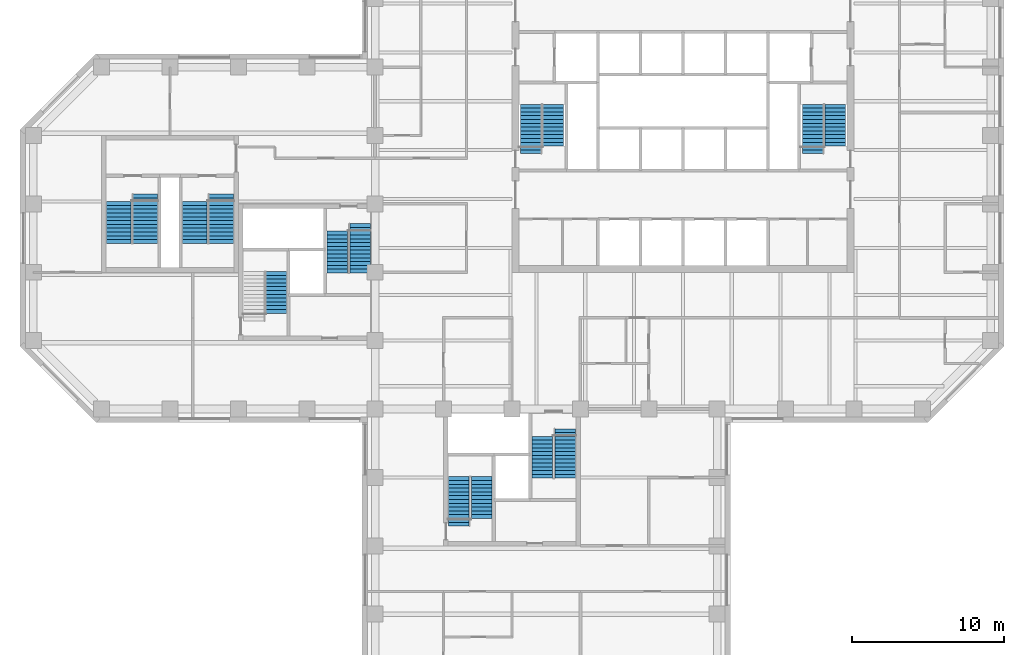
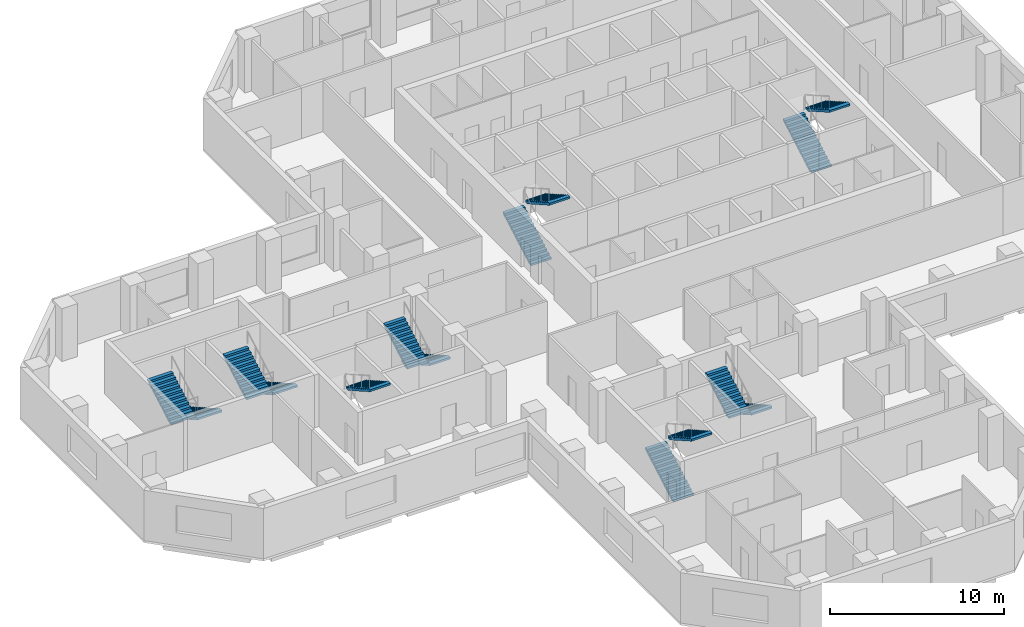
# One storey, part 10 of 11: 15 stair flights, 8 elements without a shape of their own.
"""IFC4 building model written with IfcOpenShell, lengths in metres."""

from ifc_helpers import new_model, si_unit, direction, frame, origin, place, context, subcontext, project, spatial, polyline, outline, extrude, material, type_object, element, aggregate, save


model = new_model("IFC4")

# Units and contexts
model_context = context("Model", 3, precision=1e-05, world=origin(), true_north=direction((0.0, 1.0)))
body_context = subcontext(model_context, "Body", "Model", "MODEL_VIEW")
ifc_project = project(units=[si_unit("LENGTHUNIT", "METRE"), si_unit("AREAUNIT", "SQUARE_METRE"), si_unit("VOLUMEUNIT", "CUBIC_METRE"), si_unit("PLANEANGLEUNIT", "RADIAN"), si_unit("MASSUNIT", "GRAM", prefix="KILO")], contexts=[model_context])

# Site, building, storey
site_placement = place(None, origin())
site = spatial("IfcSite", under=ifc_project, at=site_placement, CompositionType="ELEMENT")
building_placement = place(site_placement, origin())
building = spatial("IfcBuilding", under=site, at=building_placement, Name="Quoin Convention Tower", CompositionType="ELEMENT")
storey_placement = place(building_placement, frame((0.0, 0.0, 115.89990234375)))
storey = spatial("IfcBuildingStorey", under=building, at=storey_placement, Name="L30", CompositionType="ELEMENT", Elevation=115.89990234375)

# Stair, stair flights
ifc_material = material(Name="Concrete C40", Category="concrete")
stair_type_1 = type_object("IfcStairType", Name="Exit stair two-flight 1350", PredefinedType="HALF_TURN_STAIR", material=ifc_material)
stair_1_placement = place(storey_placement, origin())
stair_1 = element("IfcStair", 1, at=stair_1_placement, inside=storey, type_object=stair_type_1, Name="SD1 L30", PredefinedType="HALF_TURN_STAIR")
stair_flight_type_1 = type_object("IfcStairFlightType", Name="Stair flight 1350", PredefinedType="STRAIGHT", material=ifc_material)
stair_flight_1_placement = place(storey_placement, frame((46.22509765625, 57.300048828125, 0.0), z_axis=(0.0, 0.0, 1.0), x_axis=(0.0, 1.0, 0.0)))
stair_flight_1 = element("IfcStairFlight", 2, at=stair_flight_1_placement, type_object=stair_flight_type_1, Name="ST1 flight 1", NumberOfRisers=14, NumberOfTreads=13, PredefinedType="STRAIGHT", RiserHeight=0.142307692, TreadLength=0.25, context=body_context, shape_type="SweptSolid", body=[
    extrude(outline(polyline([(0.0, 0.0), (0.0, 0.142333984375), (0.25, 0.142333984375), (0.25, 0.28466796875), (0.5, 0.28466796875), (0.5, 0.427001953125), (0.75, 0.427001953125), (0.75, 0.5693359375), (1.0, 0.5693359375), (1.0, 0.71142578125), (1.25, 0.71142578125), (1.25, 0.853759765625), (1.5, 0.853759765625), (1.5, 0.99609375), (1.75, 0.99609375), (1.75, 1.138427734375), (2.0, 1.138427734375), (2.0, 1.28076171875), (2.25, 1.28076171875), (2.25, 1.423095703125), (2.5, 1.423095703125), (2.5, 1.5654296875), (2.75, 1.5654296875), (2.75, 1.707763671875), (3.0, 1.707763671875), (3.0, 1.85009765625), (3.25, 1.85009765625), (3.25, 1.9921875), (3.25, 1.711669921875), (0.242919921875, 0.0), (0.0, 0.0)])), frame((0.0, 0.675048828125, 0.0), z_axis=(0.0, -1.0, 0.0), x_axis=(1.0, 0.0, 0.0)), (0.0, 0.0, 1.0), 1.35009765625),
])
stair_flight_2_placement = place(storey_placement, frame((47.72509765625, 60.550048828125, 1.992431640625), z_axis=(0.0, 0.0, 1.0), x_axis=(0.0, -1.0, 0.0)))
stair_flight_2 = element("IfcStairFlight", 3, at=stair_flight_2_placement, type_object=stair_flight_type_1, Name="ST1 flight 2", NumberOfRisers=12, NumberOfTreads=11, PredefinedType="STRAIGHT", RiserHeight=0.142307692, TreadLength=0.25, context=body_context, shape_type="SweptSolid", body=[
    extrude(outline(polyline([(0.0, 0.0), (0.0, 0.142333984375), (0.25, 0.142333984375), (0.25, 0.28466796875), (0.5, 0.28466796875), (0.5, 0.427001953125), (0.75, 0.427001953125), (0.75, 0.5693359375), (1.0, 0.5693359375), (1.0, 0.71142578125), (1.25, 0.71142578125), (1.25, 0.853759765625), (1.5, 0.853759765625), (1.5, 0.99609375), (1.75, 0.99609375), (1.75, 1.138427734375), (2.0, 1.138427734375), (2.0, 1.28076171875), (2.25, 1.28076171875), (2.25, 1.423095703125), (2.5, 1.423095703125), (2.5, 1.5654296875), (2.75, 1.5654296875), (2.75, 1.707763671875), (2.75, 1.42724609375), (0.242919921875, 0.0), (0.0, 0.0)])), frame((0.0, 0.675048828125, 0.0), z_axis=(0.0, -1.0, 0.0), x_axis=(1.0, 0.0, 0.0)), (0.0, 0.0, 1.0), 1.35009765625),
])
aggregate(stair_1, [stair_flight_1, stair_flight_2])

stair_2_placement = place(storey_placement, origin())
stair_2 = element("IfcStair", 4, at=stair_2_placement, inside=storey, type_object=stair_type_1, Name="SD2 L30", PredefinedType="HALF_TURN_STAIR")
stair_flight_3_placement = place(storey_placement, frame((64.77490234375, 57.300048828125, 0.0), z_axis=(0.0, 0.0, 1.0), x_axis=(0.0, 1.0, 0.0)))
stair_flight_3 = element("IfcStairFlight", 5, at=stair_flight_3_placement, type_object=stair_flight_type_1, Name="ST2 flight 1", NumberOfRisers=14, NumberOfTreads=13, PredefinedType="STRAIGHT", RiserHeight=0.142307692, TreadLength=0.25, context=body_context, shape_type="SweptSolid", body=[
    extrude(outline(polyline([(0.0, 0.0), (0.0, 0.142333984375), (0.25, 0.142333984375), (0.25, 0.28466796875), (0.5, 0.28466796875), (0.5, 0.427001953125), (0.75, 0.427001953125), (0.75, 0.5693359375), (1.0, 0.5693359375), (1.0, 0.71142578125), (1.25, 0.71142578125), (1.25, 0.853759765625), (1.5, 0.853759765625), (1.5, 0.99609375), (1.75, 0.99609375), (1.75, 1.138427734375), (2.0, 1.138427734375), (2.0, 1.28076171875), (2.25, 1.28076171875), (2.25, 1.423095703125), (2.5, 1.423095703125), (2.5, 1.5654296875), (2.75, 1.5654296875), (2.75, 1.707763671875), (3.0, 1.707763671875), (3.0, 1.85009765625), (3.25, 1.85009765625), (3.25, 1.9921875), (3.25, 1.711669921875), (0.242919921875, 0.0), (0.0, 0.0)])), frame((0.0, 0.675048828125, 0.0), z_axis=(0.0, -1.0, 0.0), x_axis=(1.0, 0.0, 0.0)), (0.0, 0.0, 1.0), 1.35009765625),
])
stair_flight_4_placement = place(storey_placement, frame((66.27490234375, 60.550048828125, 1.992431640625), z_axis=(0.0, 0.0, 1.0), x_axis=(0.0, -1.0, 0.0)))
stair_flight_4 = element("IfcStairFlight", 6, at=stair_flight_4_placement, type_object=stair_flight_type_1, Name="ST2 flight 2", NumberOfRisers=12, NumberOfTreads=11, PredefinedType="STRAIGHT", RiserHeight=0.142307692, TreadLength=0.25, context=body_context, shape_type="SweptSolid", body=[
    extrude(outline(polyline([(0.0, 0.0), (0.0, 0.142333984375), (0.25, 0.142333984375), (0.25, 0.28466796875), (0.5, 0.28466796875), (0.5, 0.427001953125), (0.75, 0.427001953125), (0.75, 0.5693359375), (1.0, 0.5693359375), (1.0, 0.71142578125), (1.25, 0.71142578125), (1.25, 0.853759765625), (1.5, 0.853759765625), (1.5, 0.99609375), (1.75, 0.99609375), (1.75, 1.138427734375), (2.0, 1.138427734375), (2.0, 1.28076171875), (2.25, 1.28076171875), (2.25, 1.423095703125), (2.5, 1.423095703125), (2.5, 1.5654296875), (2.75, 1.5654296875), (2.75, 1.707763671875), (2.75, 1.42724609375), (0.242919921875, 0.0), (0.0, 0.0)])), frame((0.0, 0.675048828125, 0.0), z_axis=(0.0, -1.0, 0.0), x_axis=(1.0, 0.0, 0.0)), (0.0, 0.0, 1.0), 1.35009765625),
])
aggregate(stair_2, [stair_flight_3, stair_flight_4])

# Stair, stair flight
stair_3_placement = place(storey_placement, origin())
stair_3 = element("IfcStair", 7, at=stair_3_placement, inside=storey, type_object=stair_type_1, Name="SD3 L30", PredefinedType="HALF_TURN_STAIR")
stair_flight_5_placement = place(storey_placement, frame((29.5, 49.550048828125, 1.992431640625), z_axis=(0.0, 0.0, 1.0), x_axis=(0.0, -1.0, 0.0)))
stair_flight_5 = element("IfcStairFlight", 8, at=stair_flight_5_placement, type_object=stair_flight_type_1, Name="ST3 flight 2", NumberOfRisers=12, NumberOfTreads=11, PredefinedType="STRAIGHT", RiserHeight=0.142307692, TreadLength=0.25, context=body_context, shape_type="SweptSolid", body=[
    extrude(outline(polyline([(0.0, 0.0), (0.0, 0.142333984375), (0.25, 0.142333984375), (0.25, 0.28466796875), (0.5, 0.28466796875), (0.5, 0.427001953125), (0.75, 0.427001953125), (0.75, 0.5693359375), (1.0, 0.5693359375), (1.0, 0.71142578125), (1.25, 0.71142578125), (1.25, 0.853759765625), (1.5, 0.853759765625), (1.5, 0.99609375), (1.75, 0.99609375), (1.75, 1.138427734375), (2.0, 1.138427734375), (2.0, 1.28076171875), (2.25, 1.28076171875), (2.25, 1.423095703125), (2.5, 1.423095703125), (2.5, 1.5654296875), (2.75, 1.5654296875), (2.75, 1.707763671875), (2.75, 1.42724609375), (0.242919921875, 0.0), (0.0, 0.0)])), frame((0.0, 0.675048828125, 0.0), z_axis=(0.0, -1.0, 0.0), x_axis=(1.0, 0.0, 0.0)), (0.0, 0.0, 1.0), 1.35009765625),
])
aggregate(stair_3, [stair_flight_5])

# Stair, stair flights
stair_4_placement = place(storey_placement, origin())
stair_4 = element("IfcStair", 9, at=stair_4_placement, inside=storey, type_object=stair_type_1, Name="SD4 L30", PredefinedType="HALF_TURN_STAIR")
stair_flight_6_placement = place(storey_placement, frame((35.0, 52.699951171875, 0.0), z_axis=(0.0, 0.0, 1.0), x_axis=(0.0, -1.0, 0.0)))
stair_flight_6 = element("IfcStairFlight", 10, at=stair_flight_6_placement, type_object=stair_flight_type_1, Name="ST4 flight 1", NumberOfRisers=14, NumberOfTreads=13, PredefinedType="STRAIGHT", RiserHeight=0.142307692, TreadLength=0.25, context=body_context, shape_type="SweptSolid", body=[
    extrude(outline(polyline([(0.0, 0.0), (0.0, 0.142333984375), (0.25, 0.142333984375), (0.25, 0.28466796875), (0.5, 0.28466796875), (0.5, 0.427001953125), (0.75, 0.427001953125), (0.75, 0.5693359375), (1.0, 0.5693359375), (1.0, 0.71142578125), (1.25, 0.71142578125), (1.25, 0.853759765625), (1.5, 0.853759765625), (1.5, 0.99609375), (1.75, 0.99609375), (1.75, 1.138427734375), (2.0, 1.138427734375), (2.0, 1.28076171875), (2.25, 1.28076171875), (2.25, 1.423095703125), (2.5, 1.423095703125), (2.5, 1.5654296875), (2.75, 1.5654296875), (2.75, 1.707763671875), (3.0, 1.707763671875), (3.0, 1.85009765625), (3.25, 1.85009765625), (3.25, 1.9921875), (3.25, 1.711669921875), (0.242919921875, 0.0), (0.0, 0.0)])), frame((0.0, 0.675048828125, 0.0), z_axis=(0.0, -1.0, 0.0), x_axis=(1.0, 0.0, 0.0)), (0.0, 0.0, 1.0), 1.35009765625),
])
stair_flight_7_placement = place(storey_placement, frame((33.5, 49.449951171875, 1.992431640625), z_axis=(0.0, 0.0, 1.0), x_axis=(0.0, 1.0, 0.0)))
stair_flight_7 = element("IfcStairFlight", 11, at=stair_flight_7_placement, type_object=stair_flight_type_1, Name="ST4 flight 2", NumberOfRisers=12, NumberOfTreads=11, PredefinedType="STRAIGHT", RiserHeight=0.142307692, TreadLength=0.25, context=body_context, shape_type="SweptSolid", body=[
    extrude(outline(polyline([(0.0, 0.0), (0.0, 0.142333984375), (0.25, 0.142333984375), (0.25, 0.28466796875), (0.5, 0.28466796875), (0.5, 0.427001953125), (0.75, 0.427001953125), (0.75, 0.5693359375), (1.0, 0.5693359375), (1.0, 0.71142578125), (1.25, 0.71142578125), (1.25, 0.853759765625), (1.5, 0.853759765625), (1.5, 0.99609375), (1.75, 0.99609375), (1.75, 1.138427734375), (2.0, 1.138427734375), (2.0, 1.28076171875), (2.25, 1.28076171875), (2.25, 1.423095703125), (2.5, 1.423095703125), (2.5, 1.5654296875), (2.75, 1.5654296875), (2.75, 1.707763671875), (2.75, 1.42724609375), (0.242919921875, 0.0), (0.0, 0.0)])), frame((0.0, 0.675048828125, 0.0), z_axis=(0.0, -1.0, 0.0), x_axis=(1.0, 0.0, 0.0)), (0.0, 0.0, 1.0), 1.35009765625),
])
aggregate(stair_4, [stair_flight_6, stair_flight_7])

stair_5_placement = place(storey_placement, origin())
stair_5 = element("IfcStair", 12, at=stair_5_placement, inside=storey, type_object=stair_type_1, Name="SD5 L30", PredefinedType="HALF_TURN_STAIR")
stair_flight_8_placement = place(storey_placement, frame((41.5, 32.800048828125, 0.0), z_axis=(0.0, 0.0, 1.0), x_axis=(0.0, 1.0, 0.0)))
stair_flight_8 = element("IfcStairFlight", 13, at=stair_flight_8_placement, type_object=stair_flight_type_1, Name="ST5 flight 1", NumberOfRisers=14, NumberOfTreads=13, PredefinedType="STRAIGHT", RiserHeight=0.142307692, TreadLength=0.25, context=body_context, shape_type="SweptSolid", body=[
    extrude(outline(polyline([(0.0, 0.0), (0.0, 0.142333984375), (0.25, 0.142333984375), (0.25, 0.28466796875), (0.5, 0.28466796875), (0.5, 0.427001953125), (0.75, 0.427001953125), (0.75, 0.5693359375), (1.0, 0.5693359375), (1.0, 0.71142578125), (1.25, 0.71142578125), (1.25, 0.853759765625), (1.5, 0.853759765625), (1.5, 0.99609375), (1.75, 0.99609375), (1.75, 1.138427734375), (2.0, 1.138427734375), (2.0, 1.28076171875), (2.25, 1.28076171875), (2.25, 1.423095703125), (2.5, 1.423095703125), (2.5, 1.5654296875), (2.75, 1.5654296875), (2.75, 1.707763671875), (3.0, 1.707763671875), (3.0, 1.85009765625), (3.25, 1.85009765625), (3.25, 1.9921875), (3.25, 1.711669921875), (0.242919921875, 0.0), (0.0, 0.0)])), frame((0.0, 0.675048828125, 0.0), z_axis=(0.0, -1.0, 0.0), x_axis=(1.0, 0.0, 0.0)), (0.0, 0.0, 1.0), 1.35009765625),
])
stair_flight_9_placement = place(storey_placement, frame((43.0, 36.050048828125, 1.992431640625), z_axis=(0.0, 0.0, 1.0), x_axis=(0.0, -1.0, 0.0)))
stair_flight_9 = element("IfcStairFlight", 14, at=stair_flight_9_placement, type_object=stair_flight_type_1, Name="ST5 flight 2", NumberOfRisers=12, NumberOfTreads=11, PredefinedType="STRAIGHT", RiserHeight=0.142307692, TreadLength=0.25, context=body_context, shape_type="SweptSolid", body=[
    extrude(outline(polyline([(0.0, 0.0), (0.0, 0.142333984375), (0.25, 0.142333984375), (0.25, 0.28466796875), (0.5, 0.28466796875), (0.5, 0.427001953125), (0.75, 0.427001953125), (0.75, 0.5693359375), (1.0, 0.5693359375), (1.0, 0.71142578125), (1.25, 0.71142578125), (1.25, 0.853759765625), (1.5, 0.853759765625), (1.5, 0.99609375), (1.75, 0.99609375), (1.75, 1.138427734375), (2.0, 1.138427734375), (2.0, 1.28076171875), (2.25, 1.28076171875), (2.25, 1.423095703125), (2.5, 1.423095703125), (2.5, 1.5654296875), (2.75, 1.5654296875), (2.75, 1.707763671875), (2.75, 1.42724609375), (0.242919921875, 0.0), (0.0, 0.0)])), frame((0.0, 0.675048828125, 0.0), z_axis=(0.0, -1.0, 0.0), x_axis=(1.0, 0.0, 0.0)), (0.0, 0.0, 1.0), 1.35009765625),
])
aggregate(stair_5, [stair_flight_8, stair_flight_9])

stair_6_placement = place(storey_placement, origin())
stair_6 = element("IfcStair", 15, at=stair_6_placement, inside=storey, type_object=stair_type_1, Name="SD6 L30", PredefinedType="HALF_TURN_STAIR")
stair_flight_10_placement = place(storey_placement, frame((48.5, 39.199951171875, 0.0), z_axis=(0.0, 0.0, 1.0), x_axis=(0.0, -1.0, 0.0)))
stair_flight_10 = element("IfcStairFlight", 16, at=stair_flight_10_placement, type_object=stair_flight_type_1, Name="ST6 flight 1", NumberOfRisers=14, NumberOfTreads=13, PredefinedType="STRAIGHT", RiserHeight=0.142307692, TreadLength=0.25, context=body_context, shape_type="SweptSolid", body=[
    extrude(outline(polyline([(0.0, 0.0), (0.0, 0.142333984375), (0.25, 0.142333984375), (0.25, 0.28466796875), (0.5, 0.28466796875), (0.5, 0.427001953125), (0.75, 0.427001953125), (0.75, 0.5693359375), (1.0, 0.5693359375), (1.0, 0.71142578125), (1.25, 0.71142578125), (1.25, 0.853759765625), (1.5, 0.853759765625), (1.5, 0.99609375), (1.75, 0.99609375), (1.75, 1.138427734375), (2.0, 1.138427734375), (2.0, 1.28076171875), (2.25, 1.28076171875), (2.25, 1.423095703125), (2.5, 1.423095703125), (2.5, 1.5654296875), (2.75, 1.5654296875), (2.75, 1.707763671875), (3.0, 1.707763671875), (3.0, 1.85009765625), (3.25, 1.85009765625), (3.25, 1.9921875), (3.25, 1.711669921875), (0.242919921875, 0.0), (0.0, 0.0)])), frame((0.0, 0.675048828125, 0.0), z_axis=(0.0, -1.0, 0.0), x_axis=(1.0, 0.0, 0.0)), (0.0, 0.0, 1.0), 1.35009765625),
])
stair_flight_11_placement = place(storey_placement, frame((47.0, 35.949951171875, 1.992431640625), z_axis=(0.0, 0.0, 1.0), x_axis=(0.0, 1.0, 0.0)))
stair_flight_11 = element("IfcStairFlight", 17, at=stair_flight_11_placement, type_object=stair_flight_type_1, Name="ST6 flight 2", NumberOfRisers=12, NumberOfTreads=11, PredefinedType="STRAIGHT", RiserHeight=0.142307692, TreadLength=0.25, context=body_context, shape_type="SweptSolid", body=[
    extrude(outline(polyline([(0.0, 0.0), (0.0, 0.142333984375), (0.25, 0.142333984375), (0.25, 0.28466796875), (0.5, 0.28466796875), (0.5, 0.427001953125), (0.75, 0.427001953125), (0.75, 0.5693359375), (1.0, 0.5693359375), (1.0, 0.71142578125), (1.25, 0.71142578125), (1.25, 0.853759765625), (1.5, 0.853759765625), (1.5, 0.99609375), (1.75, 0.99609375), (1.75, 1.138427734375), (2.0, 1.138427734375), (2.0, 1.28076171875), (2.25, 1.28076171875), (2.25, 1.423095703125), (2.5, 1.423095703125), (2.5, 1.5654296875), (2.75, 1.5654296875), (2.75, 1.707763671875), (2.75, 1.42724609375), (0.242919921875, 0.0), (0.0, 0.0)])), frame((0.0, 0.675048828125, 0.0), z_axis=(0.0, -1.0, 0.0), x_axis=(1.0, 0.0, 0.0)), (0.0, 0.0, 1.0), 1.35009765625),
])
aggregate(stair_6, [stair_flight_10, stair_flight_11])

stair_type_2 = type_object("IfcStairType", Name="Exit stair two-flight 1600", PredefinedType="HALF_TURN_STAIR", material=ifc_material)
stair_7_placement = place(storey_placement, origin())
stair_7 = element("IfcStair", 18, at=stair_7_placement, inside=storey, type_object=stair_type_2, Name="SD11 L30", PredefinedType="HALF_TURN_STAIR")
stair_flight_type_2 = type_object("IfcStairFlightType", Name="Stair flight 1600", PredefinedType="STRAIGHT", material=ifc_material)
stair_flight_12_placement = place(storey_placement, frame((20.875, 54.64990234375, 0.0), z_axis=(0.0, 0.0, 1.0), x_axis=(0.0, -1.0, 0.0)))
stair_flight_12 = element("IfcStairFlight", 19, at=stair_flight_12_placement, type_object=stair_flight_type_2, Name="ST11 flight 1", NumberOfRisers=14, NumberOfTreads=13, PredefinedType="STRAIGHT", RiserHeight=0.142307692, TreadLength=0.25, context=body_context, shape_type="SweptSolid", body=[
    extrude(outline(polyline([(0.0, 0.0), (0.0, 0.142333984375), (0.25, 0.142333984375), (0.25, 0.28466796875), (0.5, 0.28466796875), (0.5, 0.427001953125), (0.75, 0.427001953125), (0.75, 0.5693359375), (1.0, 0.5693359375), (1.0, 0.71142578125), (1.25, 0.71142578125), (1.25, 0.853759765625), (1.5, 0.853759765625), (1.5, 0.99609375), (1.75, 0.99609375), (1.75, 1.138427734375), (2.0, 1.138427734375), (2.0, 1.28076171875), (2.25, 1.28076171875), (2.25, 1.423095703125), (2.5, 1.423095703125), (2.5, 1.5654296875), (2.75, 1.5654296875), (2.75, 1.707763671875), (3.0, 1.707763671875), (3.0, 1.85009765625), (3.25, 1.85009765625), (3.25, 1.9921875), (3.25, 1.711669921875), (0.242919921875, 0.0), (0.0, 0.0)])), frame((0.0, 0.800048828125, 0.0), z_axis=(0.0, -1.0, 0.0), x_axis=(1.0, 0.0, 0.0)), (0.0, 0.0, 1.0), 1.60009765625),
])
stair_flight_13_placement = place(storey_placement, frame((19.125, 51.39990234375, 1.992431640625), z_axis=(0.0, 0.0, 1.0), x_axis=(0.0, 1.0, 0.0)))
stair_flight_13 = element("IfcStairFlight", 20, at=stair_flight_13_placement, type_object=stair_flight_type_2, Name="ST11 flight 2", NumberOfRisers=12, NumberOfTreads=11, PredefinedType="STRAIGHT", RiserHeight=0.142307692, TreadLength=0.25, context=body_context, shape_type="SweptSolid", body=[
    extrude(outline(polyline([(0.0, 0.0), (0.0, 0.142333984375), (0.25, 0.142333984375), (0.25, 0.28466796875), (0.5, 0.28466796875), (0.5, 0.427001953125), (0.75, 0.427001953125), (0.75, 0.5693359375), (1.0, 0.5693359375), (1.0, 0.71142578125), (1.25, 0.71142578125), (1.25, 0.853759765625), (1.5, 0.853759765625), (1.5, 0.99609375), (1.75, 0.99609375), (1.75, 1.138427734375), (2.0, 1.138427734375), (2.0, 1.28076171875), (2.25, 1.28076171875), (2.25, 1.423095703125), (2.5, 1.423095703125), (2.5, 1.5654296875), (2.75, 1.5654296875), (2.75, 1.707763671875), (2.75, 1.42724609375), (0.242919921875, 0.0), (0.0, 0.0)])), frame((0.0, 0.800048828125, 0.0), z_axis=(0.0, -1.0, 0.0), x_axis=(1.0, 0.0, 0.0)), (0.0, 0.0, 1.0), 1.60009765625),
])
aggregate(stair_7, [stair_flight_12, stair_flight_13])

stair_8_placement = place(storey_placement, origin())
stair_8 = element("IfcStair", 21, at=stair_8_placement, inside=storey, type_object=stair_type_2, Name="SD12 L30", PredefinedType="HALF_TURN_STAIR")
stair_flight_14_placement = place(storey_placement, frame((25.875, 54.64990234375, 0.0), z_axis=(0.0, 0.0, 1.0), x_axis=(0.0, -1.0, 0.0)))
stair_flight_14 = element("IfcStairFlight", 22, at=stair_flight_14_placement, type_object=stair_flight_type_2, Name="ST12 flight 1", NumberOfRisers=14, NumberOfTreads=13, PredefinedType="STRAIGHT", RiserHeight=0.142307692, TreadLength=0.25, context=body_context, shape_type="SweptSolid", body=[
    extrude(outline(polyline([(0.0, 0.0), (0.0, 0.142333984375), (0.25, 0.142333984375), (0.25, 0.28466796875), (0.5, 0.28466796875), (0.5, 0.427001953125), (0.75, 0.427001953125), (0.75, 0.5693359375), (1.0, 0.5693359375), (1.0, 0.71142578125), (1.25, 0.71142578125), (1.25, 0.853759765625), (1.5, 0.853759765625), (1.5, 0.99609375), (1.75, 0.99609375), (1.75, 1.138427734375), (2.0, 1.138427734375), (2.0, 1.28076171875), (2.25, 1.28076171875), (2.25, 1.423095703125), (2.5, 1.423095703125), (2.5, 1.5654296875), (2.75, 1.5654296875), (2.75, 1.707763671875), (3.0, 1.707763671875), (3.0, 1.85009765625), (3.25, 1.85009765625), (3.25, 1.9921875), (3.25, 1.711669921875), (0.242919921875, 0.0), (0.0, 0.0)])), frame((0.0, 0.800048828125, 0.0), z_axis=(0.0, -1.0, 0.0), x_axis=(1.0, 0.0, 0.0)), (0.0, 0.0, 1.0), 1.60009765625),
])
stair_flight_15_placement = place(storey_placement, frame((24.125, 51.39990234375, 1.992431640625), z_axis=(0.0, 0.0, 1.0), x_axis=(0.0, 1.0, 0.0)))
stair_flight_15 = element("IfcStairFlight", 23, at=stair_flight_15_placement, type_object=stair_flight_type_2, Name="ST12 flight 2", NumberOfRisers=12, NumberOfTreads=11, PredefinedType="STRAIGHT", RiserHeight=0.142307692, TreadLength=0.25, context=body_context, shape_type="SweptSolid", body=[
    extrude(outline(polyline([(0.0, 0.0), (0.0, 0.142333984375), (0.25, 0.142333984375), (0.25, 0.28466796875), (0.5, 0.28466796875), (0.5, 0.427001953125), (0.75, 0.427001953125), (0.75, 0.5693359375), (1.0, 0.5693359375), (1.0, 0.71142578125), (1.25, 0.71142578125), (1.25, 0.853759765625), (1.5, 0.853759765625), (1.5, 0.99609375), (1.75, 0.99609375), (1.75, 1.138427734375), (2.0, 1.138427734375), (2.0, 1.28076171875), (2.25, 1.28076171875), (2.25, 1.423095703125), (2.5, 1.423095703125), (2.5, 1.5654296875), (2.75, 1.5654296875), (2.75, 1.707763671875), (2.75, 1.42724609375), (0.242919921875, 0.0), (0.0, 0.0)])), frame((0.0, 0.800048828125, 0.0), z_axis=(0.0, -1.0, 0.0), x_axis=(1.0, 0.0, 0.0)), (0.0, 0.0, 1.0), 1.60009765625),
])
aggregate(stair_8, [stair_flight_14, stair_flight_15])

save(model, "model.ifc")
